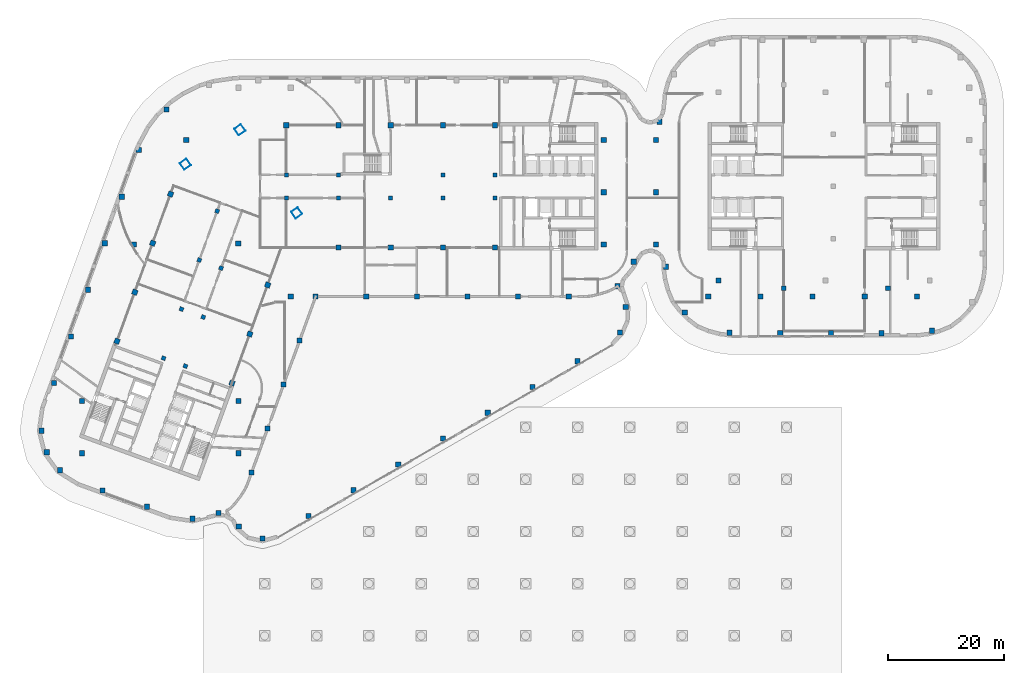
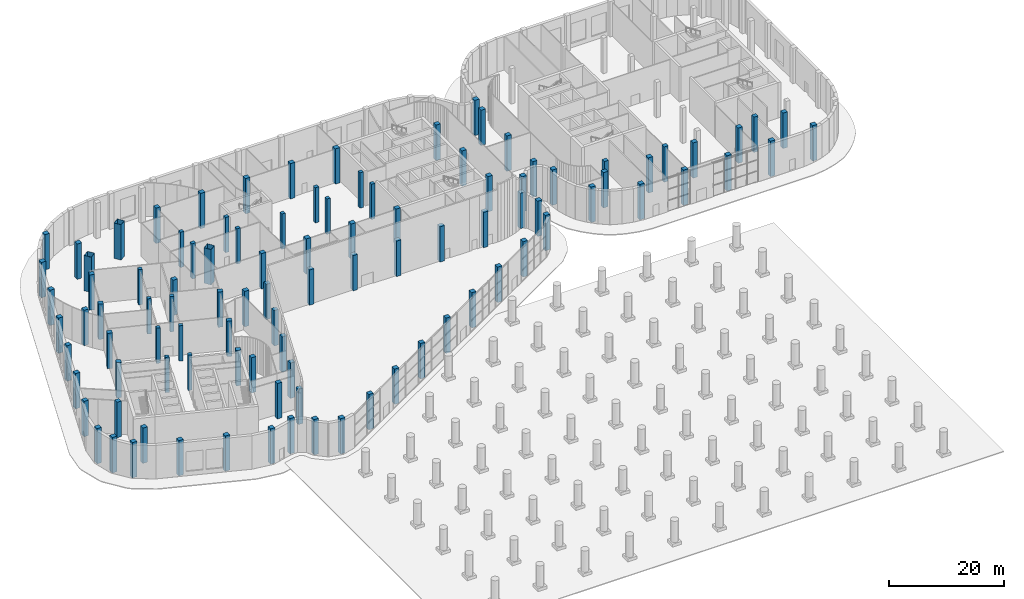
# One storey, part 1 of 30: 102 columns.
"""IFC4 building model written with IfcOpenShell, lengths in metres."""

from ifc_helpers import new_model, si_unit, direction, frame, origin, origin_2d, place, context, subcontext, project, spatial, rectangle, hollow_rectangle, extrude, material, material_profile, profile_set, type_object, element, save


model = new_model("IFC4")

# Units and contexts
model_context = context("Model", 3, precision=1e-05, world=origin(), true_north=direction((0.0, 1.0)))
body_context = subcontext(model_context, "Body", "Model", "MODEL_VIEW")
ifc_project = project(units=[si_unit("LENGTHUNIT", "METRE"), si_unit("AREAUNIT", "SQUARE_METRE"), si_unit("VOLUMEUNIT", "CUBIC_METRE"), si_unit("PLANEANGLEUNIT", "RADIAN"), si_unit("MASSUNIT", "GRAM", prefix="KILO")], contexts=[model_context])

# Site, building, storey
site_placement = place(None, origin())
site = spatial("IfcSite", under=ifc_project, at=site_placement, CompositionType="ELEMENT")
building_placement = place(site_placement, origin())
building = spatial("IfcBuilding", under=site, at=building_placement, Name="Skarvind Civic Tower", CompositionType="ELEMENT")
storey_placement = place(building_placement, origin())
storey = spatial("IfcBuildingStorey", under=building, at=storey_placement, Name="L00", CompositionType="ELEMENT", Elevation=0.0)

# Columns
ifc_material_1 = material(Name="Concrete C60", Category="concrete")
ifc_material_profile_1 = material_profile(ifc_material_1, rectangle(XDim=0.699951171875, YDim=0.699951171875, at=origin_2d()), Name="RC-700x700")
ifc_profile_set_1 = profile_set([ifc_material_profile_1], Name="Concrete C60")
column_type_1 = type_object("IfcColumnType", Name="Column RC-700x700 C60", PredefinedType="COLUMN", material=ifc_profile_set_1)
for number, where, z_axis, x_axis, name in (
    (1, (54.25, 130.0, 0.0), (0.0, 0.0, 1.0), (1.0, 0.0, 0.0), "Column wing 1 north inner 02 L00"),
    (2, (63.25, 130.0, 0.0), (0.0, 0.0, 1.0), (1.0, 0.0, 0.0), "Column wing 1 north inner 03 L00"),
    (3, (81.25, 130.0, 0.0), (0.0, 0.0, 1.0), (1.0, 0.0, 0.0), "Column wing 1 north inner 05 L00"),
    (4, (90.25, 130.0, 0.0), (0.0, 0.0, 1.0), (1.0, 0.0, 0.0), "Column wing 1 north inner 06 L00"),
    (5, (54.25, 126.0, 0.0), (0.0, 0.0, 1.0), (1.0, 0.0, 0.0), "Column wing 1 south inner 02 L00"),
    (6, (63.25, 126.0, 0.0), (0.0, 0.0, 1.0), (1.0, 0.0, 0.0), "Column wing 1 south inner 03 L00"),
    (7, (72.25, 126.0, 0.0), (0.0, 0.0, 1.0), (1.0, 0.0, 0.0), "Column wing 1 south inner 04 L00"),
    (8, (81.25, 126.0, 0.0), (0.0, 0.0, 1.0), (1.0, 0.0, 0.0), "Column wing 1 south inner 05 L00"),
    (9, (90.25, 126.0, 0.0), (0.0, 0.0, 1.0), (1.0, 0.0, 0.0), "Column wing 1 south inner 06 L00"),
    (10, (43.005615234375, 113.92529296875, 0.0), (0.0, 0.0, 1.0), (-0.342020143326, -0.939692620786, 0.0), "Column wing 2 left inner 02 L00"),
    (11, (39.927490234375, 105.468017578125, 0.0), (0.0, 0.0, 1.0), (-0.342020143326, -0.939692620786, 0.0), "Column wing 2 left inner 03 L00"),
    (12, (36.84912109375, 97.010986328125, 0.0), (0.0, 0.0, 1.0), (-0.342020143326, -0.939692620786, 0.0), "Column wing 2 left inner 04 L00"),
    (13, (42.324951171875, 123.750732421875, 0.0), (0.0, 0.0, 1.0), (-0.342020143326, -0.939692620786, 0.0), "Column wing 2 right inner 01 L00"),
    (14, (39.246826171875, 115.29345703125, 0.0), (0.0, 0.0, 1.0), (-0.342020143326, -0.939692620786, 0.0), "Column wing 2 right inner 02 L00"),
    (15, (36.168701171875, 106.836181640625, 0.0), (0.0, 0.0, 1.0), (-0.342020143326, -0.939692620786, 0.0), "Column wing 2 right inner 03 L00"),
    (16, (33.090576171875, 98.37890625, 0.0), (0.0, 0.0, 1.0), (-0.342020143326, -0.939692620786, 0.0), "Column wing 2 right inner 04 L00"),
):
    element("IfcColumn", number, at=place(storey_placement, frame(where, z_axis=z_axis, x_axis=x_axis)), inside=storey, type_object=column_type_1, Name=name, PredefinedType="COLUMN", context=body_context, shape_type="SweptSolid", body=[
        extrude(rectangle(XDim=0.699951171875, YDim=0.699951171875, at=origin_2d()), origin(), (0.0, 0.0, 1.0), 7.5),
    ])
ifc_material_profile_2 = material_profile(ifc_material_1, rectangle(XDim=0.800048828125, YDim=0.800048828125, at=origin_2d()), Name="RC-800x800")
ifc_profile_set_2 = profile_set([ifc_material_profile_2], Name="Concrete C60")
column_type_2 = type_object("IfcColumnType", Name="Column RC-800x800 C60", PredefinedType="COLUMN", material=ifc_profile_set_2)
for number, where, z_axis, x_axis, name in (
    (17, (128.777099609375, 111.777099609375, 0.0), (0.0, 0.0, 1.0), (1.0, 0.0, 0.0), "Column second tower south-west corner L00"),
    (18, (140.0, 110.449951171875, 0.0), (0.0, 0.0, 1.0), (1.0, 0.0, 0.0), "Column second tower south perimeter 02 L00"),
    (19, (158.0, 110.449951171875, 0.0), (0.0, 0.0, 1.0), (1.0, 0.0, 0.0), "Column second tower south perimeter 04 L00"),
):
    element("IfcColumn", number, at=place(storey_placement, frame(where, z_axis=z_axis, x_axis=x_axis)), inside=storey, type_object=column_type_2, Name=name, PredefinedType="COLUMN", context=body_context, shape_type="SweptSolid", body=[
        extrude(rectangle(XDim=0.800048828125, YDim=0.800048828125, at=origin_2d()), origin(), (0.0, 0.0, 1.0), 7.5),
    ])
ifc_material_profile_3 = material_profile(ifc_material_1, rectangle(XDim=0.89990234375, YDim=0.89990234375, at=origin_2d()), Name="RC-900x900")
ifc_profile_set_3 = profile_set([ifc_material_profile_3], Name="Concrete C60")
column_type_3 = type_object("IfcColumnType", Name="Column RC-900x900 C60", PredefinedType="COLUMN", material=ifc_profile_set_3)
for number, where, z_axis, x_axis, name in (
    (20, (127.0, 109.0, 0.0), (0.0, 0.0, 1.0), (1.0, 0.0, 0.0), "Column podium grid 100 L00"),
    (21, (136.0, 109.0, 0.0), (0.0, 0.0, 1.0), (1.0, 0.0, 0.0), "Column podium grid 101 L00"),
    (22, (145.0, 109.0, 0.0), (0.0, 0.0, 1.0), (1.0, 0.0, 0.0), "Column podium grid 102 L00"),
    (23, (154.0, 109.0, 0.0), (0.0, 0.0, 1.0), (1.0, 0.0, 0.0), "Column podium grid 103 L00"),
    (24, (163.0, 109.0, 0.0), (0.0, 0.0, 1.0), (1.0, 0.0, 0.0), "Column podium grid 104 L00"),
    (25, (19.0, 82.0, 0.0), (0.0, 0.0, 1.0), (1.0, 0.0, 0.0), "Column podium grid 68 L00"),
    (26, (19.0, 91.0, 0.0), (0.0, 0.0, 1.0), (1.0, 0.0, 0.0), "Column podium grid 69 L00"),
    (27, (28.0, 118.0, 0.0), (0.0, 0.0, 1.0), (1.0, 0.0, 0.0), "Column podium grid 70 L00"),
    (28, (37.0, 136.0, 0.0), (0.0, 0.0, 1.0), (1.0, 0.0, 0.0), "Column podium grid 71 L00"),
    (29, (46.0, 82.0, 0.0), (0.0, 0.0, 1.0), (1.0, 0.0, 0.0), "Column podium grid 73 L00"),
    (30, (46.0, 91.0, 0.0), (0.0, 0.0, 1.0), (1.0, 0.0, 0.0), "Column podium grid 74 L00"),
    (31, (55.0, 109.0, 0.0), (0.0, 0.0, 1.0), (1.0, 0.0, 0.0), "Column podium grid 79 L00"),
    (32, (109.0, 118.0, 0.0), (0.0, 0.0, 1.0), (1.0, 0.0, 0.0), "Column podium grid 94 L00"),
    (33, (109.0, 127.0, 0.0), (0.0, 0.0, 1.0), (1.0, 0.0, 0.0), "Column podium grid 95 L00"),
    (34, (109.0, 136.0, 0.0), (0.0, 0.0, 1.0), (1.0, 0.0, 0.0), "Column podium grid 96 L00"),
    (35, (118.0, 118.0, 0.0), (0.0, 0.0, 1.0), (1.0, 0.0, 0.0), "Column podium grid 97 L00"),
    (36, (118.0, 127.0, 0.0), (0.0, 0.0, 1.0), (1.0, 0.0, 0.0), "Column podium grid 98 L00"),
    (37, (118.0, 136.0, 0.0), (0.0, 0.0, 1.0), (1.0, 0.0, 0.0), "Column podium grid 99 L00"),
    (38, (50.135498046875, 67.277099609375, 0.0), (0.0, 0.0, 1.0), (1.0, 0.0, 0.0), "Column podium edge 01 L00"),
    (39, (46.0517578125, 69.341796875, 0.0), (0.0, 0.0, 1.0), (1.0, 0.0, 0.0), "Column podium edge 02 L00"),
    (40, (42.575927734375, 71.690673828125, 0.0), (0.0, 0.0, 1.0), (1.0, 0.0, 0.0), "Column podium edge 03 L00"),
    (41, (38.081787109375, 70.70361328125, 0.0), (0.0, 0.0, 1.0), (1.0, 0.0, 0.0), "Column podium edge 04 L00"),
    (42, (30.215087890625, 72.767822265625, 0.0), (0.0, 0.0, 1.0), (1.0, 0.0, 0.0), "Column podium edge 05 L00"),
    (43, (22.53515625, 75.56298828125, 0.0), (0.0, 0.0, 1.0), (1.0, 0.0, 0.0), "Column podium edge 06 L00"),
    (44, (15.204833984375, 79.07763671875, 0.0), (0.0, 0.0, 1.0), (1.0, 0.0, 0.0), "Column podium edge 07 L00"),
    (45, (12.957763671875, 82.1640625, 0.0), (0.0, 0.0, 1.0), (1.0, 0.0, 0.0), "Column podium edge 08 L00"),
    (46, (12.037841796875, 85.869384765625, 0.0), (0.0, 0.0, 1.0), (1.0, 0.0, 0.0), "Column podium edge 09 L00"),
    (47, (14.1865234375, 94.0986328125, 0.0), (0.0, 0.0, 1.0), (1.0, 0.0, 0.0), "Column podium edge 10 L00"),
    (48, (17.11083984375, 102.133056640625, 0.0), (0.0, 0.0, 1.0), (1.0, 0.0, 0.0), "Column podium edge 11 L00"),
    (49, (20.03515625, 110.167724609375, 0.0), (0.0, 0.0, 1.0), (1.0, 0.0, 0.0), "Column podium edge 12 L00"),
    (50, (22.95947265625, 118.2021484375, 0.0), (0.0, 0.0, 1.0), (1.0, 0.0, 0.0), "Column podium edge 13 L00"),
    (51, (25.8837890625, 126.236572265625, 0.0), (0.0, 0.0, 1.0), (1.0, 0.0, 0.0), "Column podium edge 14 L00"),
    (52, (28.818603515625, 134.266845703125, 0.0), (0.0, 0.0, 1.0), (1.0, 0.0, 0.0), "Column podium edge 15 L00"),
    (53, (33.59375, 141.267822265625, 0.0), (0.0, 0.0, 1.0), (1.0, 0.0, 0.0), "Column podium edge 16 L00"),
    (54, (118.597900390625, 139.153076171875, 0.0), (0.0, 0.0, 1.0), (1.0, 0.0, 0.0), "Column podium edge 27 L00"),
    (55, (165.565673828125, 103.1298828125, 0.0), (0.0, 0.0, 1.0), (1.0, 0.0, 0.0), "Column podium edge 40 L00"),
    (56, (156.875, 102.699951171875, 0.0), (0.0, 0.0, 1.0), (1.0, 0.0, 0.0), "Column podium edge 41 L00"),
    (57, (148.1455078125, 102.699951171875, 0.0), (0.0, 0.0, 1.0), (1.0, 0.0, 0.0), "Column podium edge 42 L00"),
    (58, (139.415771484375, 102.699951171875, 0.0), (0.0, 0.0, 1.0), (1.0, 0.0, 0.0), "Column podium edge 43 L00"),
    (59, (130.689453125, 102.749755859375, 0.0), (0.0, 0.0, 1.0), (1.0, 0.0, 0.0), "Column podium edge 44 L00"),
    (60, (122.94677734375, 106.265380859375, 0.0), (0.0, 0.0, 1.0), (1.0, 0.0, 0.0), "Column podium edge 45 L00"),
    (61, (119.70458984375, 114.13671875, 0.0), (0.0, 0.0, 1.0), (1.0, 0.0, 0.0), "Column podium edge 46 L00"),
    (62, (114.146240234375, 114.994384765625, 0.0), (0.0, 0.0, 1.0), (1.0, 0.0, 0.0), "Column podium edge 47 L00"),
    (63, (112.776611328125, 107.21484375, 0.0), (0.0, 0.0, 1.0), (1.0, 0.0, 0.0), "Column podium edge 48 L00"),
    (64, (111.77294921875, 102.8076171875, 0.0), (0.0, 0.0, 1.0), (1.0, 0.0, 0.0), "Column podium edge 49 L00"),
    (65, (104.4453125, 97.850830078125, 0.0), (0.0, 0.0, 1.0), (1.0, 0.0, 0.0), "Column podium edge 50 L00"),
    (66, (96.719970703125, 93.404541015625, 0.0), (0.0, 0.0, 1.0), (1.0, 0.0, 0.0), "Column podium edge 51 L00"),
    (67, (88.994384765625, 88.958251953125, 0.0), (0.0, 0.0, 1.0), (1.0, 0.0, 0.0), "Column podium edge 52 L00"),
    (68, (81.26904296875, 84.511962890625, 0.0), (0.0, 0.0, 1.0), (1.0, 0.0, 0.0), "Column podium edge 53 L00"),
    (69, (73.543701171875, 80.065673828125, 0.0), (0.0, 0.0, 1.0), (1.0, 0.0, 0.0), "Column podium edge 54 L00"),
    (70, (65.818359375, 75.619384765625, 0.0), (0.0, 0.0, 1.0), (1.0, 0.0, 0.0), "Column podium edge 55 L00"),
    (71, (58.093017578125, 71.173095703125, 0.0), (0.0, 0.0, 1.0), (1.0, 0.0, 0.0), "Column podium edge 56 L00"),
    (72, (48.256591796875, 78.647705078125, 0.0), (0.0, 0.0, 1.0), (1.0, 0.0, 0.0), "Column podium edge 57 L00"),
    (73, (51.0185546875, 86.23583984375, 0.0), (0.0, 0.0, 1.0), (1.0, 0.0, 0.0), "Column podium edge 58 L00"),
    (74, (53.7802734375, 93.823974609375, 0.0), (0.0, 0.0, 1.0), (1.0, 0.0, 0.0), "Column podium edge 59 L00"),
    (75, (56.5419921875, 101.411865234375, 0.0), (0.0, 0.0, 1.0), (1.0, 0.0, 0.0), "Column podium edge 60 L00"),
    (76, (59.303955078125, 109.0, 0.0), (0.0, 0.0, 1.0), (1.0, 0.0, 0.0), "Column podium edge 61 L00"),
    (77, (68.033203125, 109.0, 0.0), (0.0, 0.0, 1.0), (1.0, 0.0, 0.0), "Column podium edge 62 L00"),
    (78, (76.762451171875, 109.0, 0.0), (0.0, 0.0, 1.0), (1.0, 0.0, 0.0), "Column podium edge 63 L00"),
    (79, (85.491455078125, 109.0, 0.0), (0.0, 0.0, 1.0), (1.0, 0.0, 0.0), "Column podium edge 64 L00"),
    (80, (94.220703125, 109.0, 0.0), (0.0, 0.0, 1.0), (1.0, 0.0, 0.0), "Column podium edge 65 L00"),
    (81, (102.949951171875, 109.0, 0.0), (0.0, 0.0, 1.0), (1.0, 0.0, 0.0), "Column podium edge 66 L00"),
    (82, (111.3330078125, 110.789794921875, 0.0), (0.0, 0.0, 1.0), (1.0, 0.0, 0.0), "Column podium edge 67 L00"),
):
    element("IfcColumn", number, at=place(storey_placement, frame(where, z_axis=z_axis, x_axis=x_axis)), inside=storey, type_object=column_type_3, Name=name, PredefinedType="COLUMN", context=body_context, shape_type="SweptSolid", body=[
        extrude(rectangle(XDim=0.89990234375, YDim=0.89990234375, at=origin_2d()), origin(), (0.0, 0.0, 1.0), 7.5),
    ])
ifc_material_2 = material(Name="Concrete C80", Category="concrete")
ifc_material_profile_4 = material_profile(ifc_material_2, rectangle(XDim=0.89990234375, YDim=0.89990234375, at=origin_2d()), Name="RC-900x900")
ifc_profile_set_4 = profile_set([ifc_material_profile_4], Name="Concrete C80")
column_type_4 = type_object("IfcColumnType", Name="Column RC-900x900 C80", PredefinedType="COLUMN", material=ifc_profile_set_4)
for number, where, z_axis, x_axis, name in (
    (83, (54.25, 138.550048828125, 0.0), (0.0, 0.0, 1.0), (1.0, 0.0, 0.0), "Column wing 1 north perimeter 02 L00"),
    (84, (63.25, 138.550048828125, 0.0), (0.0, 0.0, 1.0), (1.0, 0.0, 0.0), "Column wing 1 north perimeter 03 L00"),
    (85, (72.25, 138.550048828125, 0.0), (0.0, 0.0, 1.0), (1.0, 0.0, 0.0), "Column wing 1 north perimeter 04 L00"),
    (86, (81.25, 138.550048828125, 0.0), (0.0, 0.0, 1.0), (1.0, 0.0, 0.0), "Column wing 1 north perimeter 05 L00"),
    (87, (90.25, 138.550048828125, 0.0), (0.0, 0.0, 1.0), (1.0, 0.0, 0.0), "Column wing 1 north perimeter 06 L00"),
    (88, (45.95166015625, 118.151611328125, 0.0), (0.0, 0.0, 1.0), (1.0, 0.0, 0.0), "Column wing 1 south perimeter 01 L00"),
    (89, (63.25, 117.449951171875, 0.0), (0.0, 0.0, 1.0), (1.0, 0.0, 0.0), "Column wing 1 south perimeter 03 L00"),
    (90, (72.25, 117.449951171875, 0.0), (0.0, 0.0, 1.0), (1.0, 0.0, 0.0), "Column wing 1 south perimeter 04 L00"),
    (91, (81.25, 117.449951171875, 0.0), (0.0, 0.0, 1.0), (1.0, 0.0, 0.0), "Column wing 1 south perimeter 05 L00"),
    (92, (90.25, 117.449951171875, 0.0), (0.0, 0.0, 1.0), (1.0, 0.0, 0.0), "Column wing 1 south perimeter 06 L00"),
    (93, (51.0400390625, 111.0009765625, 0.0), (0.0, 0.0, 1.0), (-0.342020143326, -0.939692620786, 0.0), "Column wing 2 left perimeter 02 L00"),
    (94, (47.961669921875, 102.5439453125, 0.0), (0.0, 0.0, 1.0), (-0.342020143326, -0.939692620786, 0.0), "Column wing 2 left perimeter 03 L00"),
    (95, (44.883544921875, 94.086669921875, 0.0), (0.0, 0.0, 1.0), (-0.342020143326, -0.939692620786, 0.0), "Column wing 2 left perimeter 04 L00"),
    (96, (34.29052734375, 126.6748046875, 0.0), (0.0, 0.0, 1.0), (-0.342020143326, -0.939692620786, 0.0), "Column wing 2 right perimeter 01 L00"),
    (97, (31.21240234375, 118.2177734375, 0.0), (0.0, 0.0, 1.0), (-0.342020143326, -0.939692620786, 0.0), "Column wing 2 right perimeter 02 L00"),
    (98, (28.13427734375, 109.760498046875, 0.0), (0.0, 0.0, 1.0), (-0.342020143326, -0.939692620786, 0.0), "Column wing 2 right perimeter 03 L00"),
    (99, (25.05615234375, 101.30322265625, 0.0), (0.0, 0.0, 1.0), (-0.342020143326, -0.939692620786, 0.0), "Column wing 2 right perimeter 04 L00"),
):
    element("IfcColumn", number, at=place(storey_placement, frame(where, z_axis=z_axis, x_axis=x_axis)), inside=storey, type_object=column_type_4, Name=name, PredefinedType="COLUMN", context=body_context, shape_type="SweptSolid", body=[
        extrude(rectangle(XDim=0.89990234375, YDim=0.89990234375, at=origin_2d()), origin(), (0.0, 0.0, 1.0), 7.5),
    ])
ifc_material_3 = material(Name="Composite concrete-filled steel tube, Steel SM355 with Concrete C80", Category="concrete")
ifc_material_profile_5 = material_profile(ifc_material_3, hollow_rectangle(XDim=1.39990234375, YDim=1.39990234375, WallThickness=0.0400390625, at=origin_2d()), Name="BOX-1400x1400x40")
ifc_profile_set_5 = profile_set([ifc_material_profile_5], Name="Composite concrete-filled steel tube, Steel SM355 with Concrete C80")
column_type_5 = type_object("IfcColumnType", Name="Mega column BOX-1400x1400x40 filled C80", PredefinedType="COLUMN", material=ifc_profile_set_5)
for number, where, z_axis, x_axis, name in (
    (100, (36.845947265625, 131.837646484375, 0.0), (0.0, 0.0, 1.0), (0.573576436351, -0.819152044289, 0.0), "Mega column 1 L00"),
    (101, (46.2470703125, 137.762451171875, 0.0), (0.0, 0.0, 1.0), (0.573576436351, -0.819152044289, 0.0), "Mega column 2 L00"),
    (102, (56.0361328125, 123.43017578125, 0.0), (0.0, 0.0, 1.0), (0.573576436351, -0.819152044289, 0.0), "Mega column 4 L00"),
):
    element("IfcColumn", number, at=place(storey_placement, frame(where, z_axis=z_axis, x_axis=x_axis)), inside=storey, type_object=column_type_5, Name=name, PredefinedType="COLUMN", context=body_context, shape_type="SweptSolid", body=[
        extrude(hollow_rectangle(XDim=1.39990234375, YDim=1.39990234375, WallThickness=0.0400390625, at=origin_2d()), origin(), (0.0, 0.0, 1.0), 7.5),
    ])

save(model, "model.ifc")
